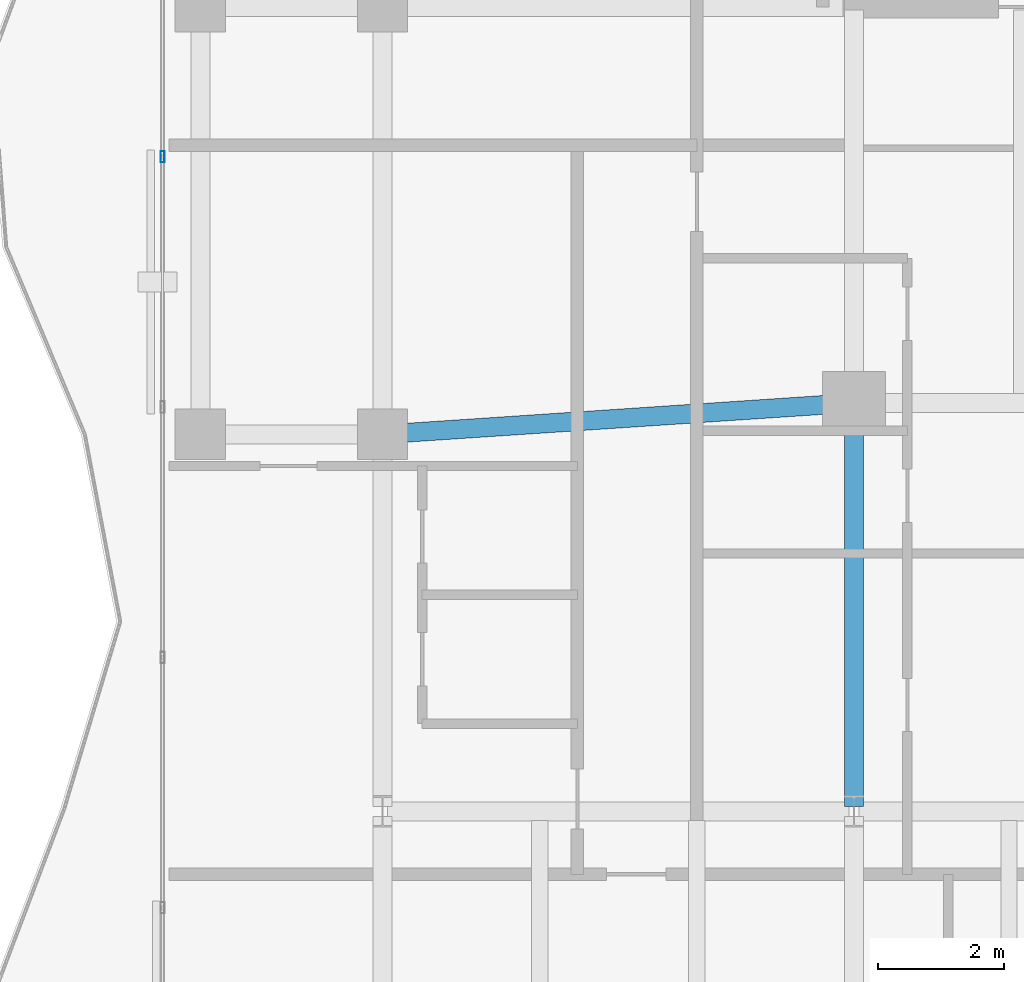
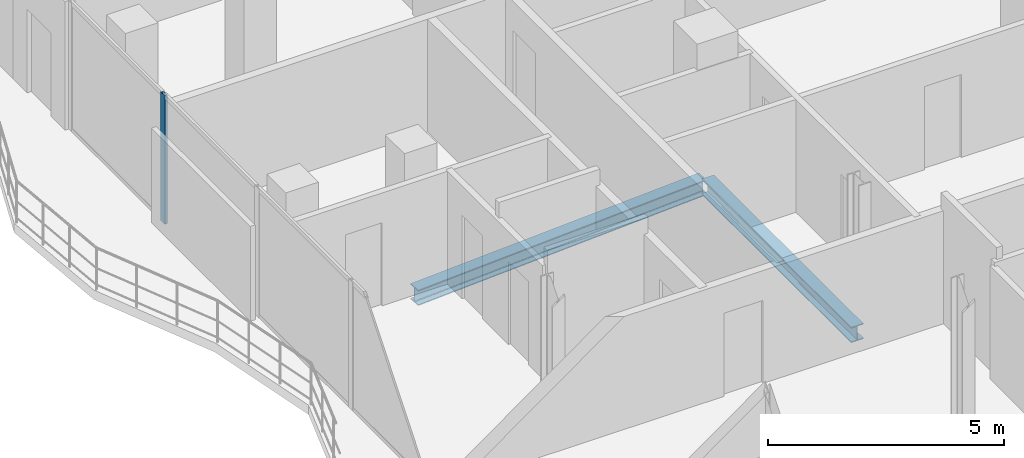
# One storey, part 8 of 23: 2 beams, 1 member, 1 element without a shape of its own.
"""IFC4 building model written with IfcOpenShell, lengths in metres."""

from ifc_helpers import new_model, si_unit, direction, frame, origin, origin_2d, place, context, subcontext, project, spatial, hollow_rectangle, i_section, extrude, material, layer, layer_set, material_profile, profile_set, type_object, element, aggregate, save


model = new_model("IFC4")

# Units and contexts
model_context = context("Model", 3, precision=1e-05, world=origin(), true_north=direction((0.0, 1.0)))
body_context = subcontext(model_context, "Body", "Model", "MODEL_VIEW")
ifc_project = project(units=[si_unit("LENGTHUNIT", "METRE"), si_unit("AREAUNIT", "SQUARE_METRE"), si_unit("VOLUMEUNIT", "CUBIC_METRE"), si_unit("PLANEANGLEUNIT", "RADIAN"), si_unit("MASSUNIT", "GRAM", prefix="KILO")], contexts=[model_context])

# Site, building, storey
site_placement = place(None, origin())
site = spatial("IfcSite", under=ifc_project, at=site_placement, CompositionType="ELEMENT")
building_placement = place(site_placement, origin())
building = spatial("IfcBuilding", under=site, at=building_placement, Name="Catumbela Crestline Tower", CompositionType="ELEMENT")
storey_placement = place(building_placement, frame((0.0, 0.0, 172.2)))
storey = spatial("IfcBuildingStorey", under=building, at=storey_placement, Name="L44", CompositionType="ELEMENT", Elevation=172.2)

# Beams
ifc_material_1 = material(Name="Structural steel S355J2", Category="steel")
ifc_material_profile_1 = material_profile(ifc_material_1, i_section(OverallWidth=0.3, OverallDepth=0.4, WebThickness=0.0135, FlangeThickness=0.024, FilletRadius=0.027, at=origin_2d()), Name="HEB 400")
ifc_profile_set_1 = profile_set([ifc_material_profile_1], Name="Structural steel S355J2")
beam_type = type_object("IfcBeamType", Name="BG-HEB400", PredefinedType="BEAM", material=ifc_profile_set_1)
beam_1_placement = place(storey_placement, frame((8.5798, 24.0053, -0.46), z_axis=(0.997784796964, 0.066524423687, 0.0), x_axis=(-0.066524423687, 0.997784796964, 0.0)))
element("IfcBeam", 1, at=beam_1_placement, inside=storey, type_object=beam_type, Name="L44 Beam BM-L44-S02", PredefinedType="BEAM", context=body_context, shape_type="SweptSolid", body=[
    extrude(i_section(OverallWidth=0.3, OverallDepth=0.4, WebThickness=0.0135, FlangeThickness=0.024, FilletRadius=0.027, at=origin_2d()), origin(), (0.0, 0.0, 1.0), 7.3567),
])
beam_2_placement = place(storey_placement, frame((16.0, 18.08, -0.46), z_axis=(0.0, 1.0, 0.0), x_axis=(-1.0, 0.0, 0.0)))
element("IfcBeam", 2, at=beam_2_placement, inside=storey, type_object=beam_type, Name="L44 Beam BM-L44-WNS42", PredefinedType="BEAM", context=body_context, shape_type="SweptSolid", body=[
    extrude(i_section(OverallWidth=0.3, OverallDepth=0.4, WebThickness=0.0135, FlangeThickness=0.024, FilletRadius=0.027, at=origin_2d()), origin(), (0.0, 0.0, 1.0), 6.34),
])

# Curtain wall, member
ifc_material_2 = material(Name="Aluminium alloy AW-6060-T66", Category="aluminium")
ifc_layer = layer(ifc_material_2, 0.18, Name="Aluminium alloy AW-6060-T66")
ifc_layer_set = layer_set([ifc_layer], Name="Aluminium alloy AW-6060-T66")
curtain_wall_type = type_object("IfcCurtainWallType", Name="CWU-Z3", PredefinedType="USERDEFINED", material=ifc_layer_set)
curtain_wall_placement = place(storey_placement, origin())
curtain_wall = element("IfcCurtainWall", 3, at=curtain_wall_placement, inside=storey, type_object=curtain_wall_type, Name="L44 Unitised Curtain Wall CW-L44-E9S2", ObjectType="UNITISED", PredefinedType="USERDEFINED")
ifc_material_profile_2 = material_profile(ifc_material_2, hollow_rectangle(XDim=0.065, YDim=0.18, WallThickness=0.004, at=origin_2d()), Name="ALU 180x65x4")
ifc_profile_set_2 = profile_set([ifc_material_profile_2], Name="Aluminium alloy AW-6060-T66")
member_type = type_object("IfcMemberType", Name="MUL-180X65", PredefinedType="MULLION", material=ifc_profile_set_2)
member_placement = place(storey_placement, frame((5.0, 28.4167, 0.0), z_axis=(0.0, 0.0, 1.0), x_axis=(1.0, 0.0, 0.0)))
member = element("IfcMember", 4, at=member_placement, type_object=member_type, Name="CWU-Z3 mullion 2", PredefinedType="MULLION", context=body_context, shape_type="SweptSolid", body=[
    extrude(hollow_rectangle(XDim=0.065, YDim=0.18, WallThickness=0.004, at=origin_2d()), origin(), (0.0, 0.0, 1.0), 3.33),
])
aggregate(curtain_wall, [member])

save(model, "model.ifc")
